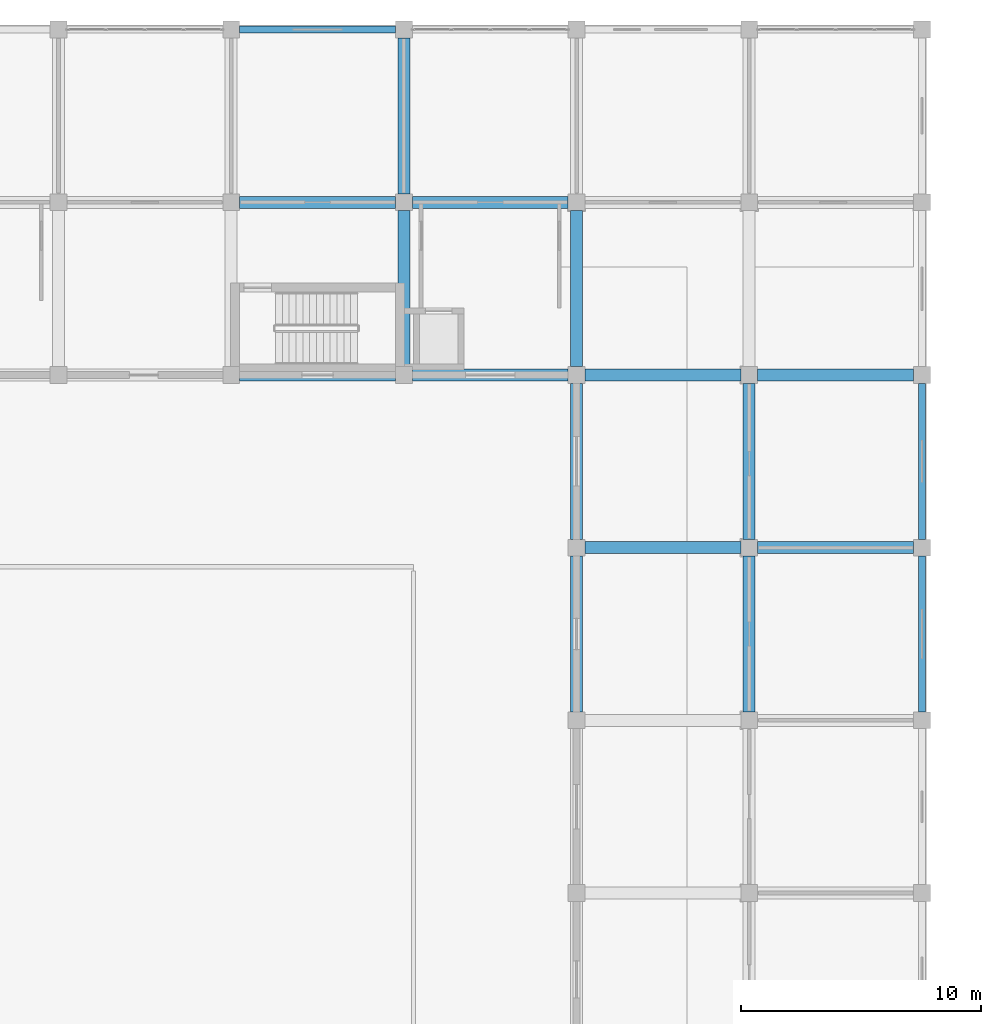
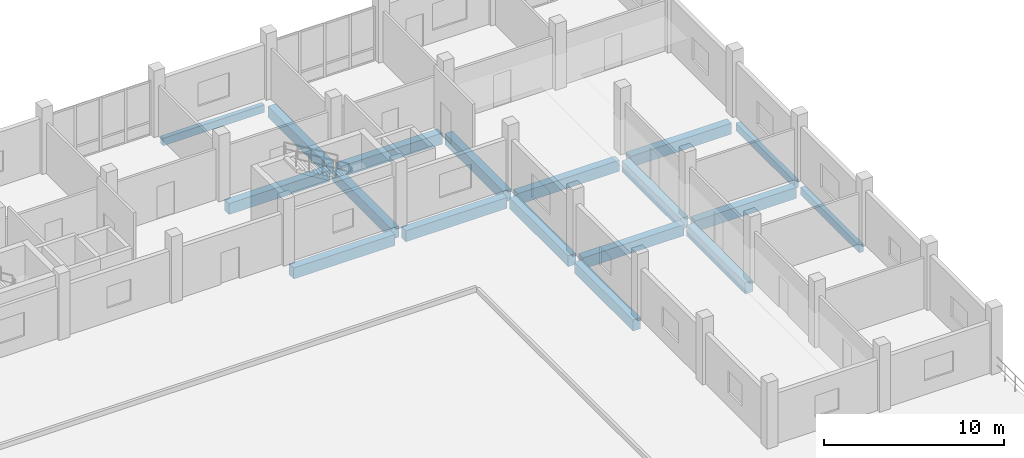
# One storey, part 97 of 139: 18 beams.
"""IFC4 building model written with IfcOpenShell, lengths in metres."""

from ifc_helpers import new_model, si_unit, direction, frame, origin, origin_2d, place, context, subcontext, project, spatial, rectangle, extrude, material, material_profile, profile_set, type_object, element, save


model = new_model("IFC4")

# Units and contexts
model_context = context("Model", 3, precision=1e-05, world=origin(), true_north=direction((0.0, 1.0)))
body_context = subcontext(model_context, "Body", "Model", "MODEL_VIEW")
ifc_project = project(units=[si_unit("LENGTHUNIT", "METRE"), si_unit("AREAUNIT", "SQUARE_METRE"), si_unit("VOLUMEUNIT", "CUBIC_METRE"), si_unit("PLANEANGLEUNIT", "RADIAN"), si_unit("MASSUNIT", "GRAM", prefix="KILO")], contexts=[model_context])

# Site, building, storey
site_placement = place(None, origin())
site = spatial("IfcSite", under=ifc_project, at=site_placement, CompositionType="ELEMENT")
building_placement = place(site_placement, origin())
building = spatial("IfcBuilding", under=site, at=building_placement, Name="Suanplinth Sawtooth Commons", CompositionType="ELEMENT")
storey_placement = place(building_placement, origin())
storey = spatial("IfcBuildingStorey", under=building, at=storey_placement, Name="L00", CompositionType="ELEMENT", Elevation=0.0)

# Beams
ifc_material_1 = material(Name="Concrete C40/50", Category="concrete")
ifc_material_profile_1 = material_profile(ifc_material_1, rectangle(XDim=0.5, YDim=0.75, at=origin_2d()), Name="RC-GDR 500x750")
ifc_profile_set_1 = profile_set([ifc_material_profile_1], Name="Concrete C40/50")
beam_type_1 = type_object("IfcBeamType", Name="B-03", PredefinedType="USERDEFINED", material=ifc_profile_set_1)
for number, where, z_axis, x_axis, name in (
    (1, (158.75, 108.0, -0.794921875), (1.0, 0.0, 0.0), (0.0, 1.0, 0.0), "BMX-L00-B-22-15"),
    (2, (158.75, 115.199951171875, -0.794921875), (1.0, 0.0, 0.0), (0.0, 1.0, 0.0), "BMX-L00-B-22-16"),
    (3, (165.949951171875, 108.0, -0.794921875), (1.0, 0.0, 0.0), (0.0, 1.0, 0.0), "BMX-L00-B-23-15"),
    (4, (165.949951171875, 115.199951171875, -0.794921875), (1.0, 0.0, 0.0), (0.0, 1.0, 0.0), "BMX-L00-B-23-16"),
    (5, (173.14990234375, 100.800048828125, -0.794921875), (1.0, 0.0, 0.0), (0.0, 1.0, 0.0), "BMX-L00-B-24-14"),
    (6, (173.14990234375, 108.0, -0.794921875), (1.0, 0.0, 0.0), (0.0, 1.0, 0.0), "BMX-L00-B-24-15"),
    (7, (180.35009765625, 100.800048828125, -0.794921875), (1.0, 0.0, 0.0), (0.0, 1.0, 0.0), "BMX-L00-B-25-14"),
    (8, (180.35009765625, 108.0, -0.794921875), (1.0, 0.0, 0.0), (0.0, 1.0, 0.0), "BMX-L00-B-25-15"),
    (9, (165.60009765625, 108.35009765625, -0.794921875), (0.0, 1.0, 0.0), (-1.0, 0.0, 0.0), "BMY-L00-B-23-15"),
    (10, (165.60009765625, 115.550048828125, -0.794921875), (0.0, 1.0, 0.0), (-1.0, 0.0, 0.0), "BMY-L00-B-23-16"),
    (11, (172.800048828125, 93.949951171875, -0.794921875), (0.0, 1.0, 0.0), (-1.0, 0.0, 0.0), "BMY-L00-B-24-13"),
    (12, (172.800048828125, 101.14990234375, -0.794921875), (0.0, 1.0, 0.0), (-1.0, 0.0, 0.0), "BMY-L00-B-24-14"),
    (13, (172.800048828125, 108.35009765625, -0.794921875), (0.0, 1.0, 0.0), (-1.0, 0.0, 0.0), "BMY-L00-B-24-15"),
    (14, (180.0, 93.949951171875, -0.794921875), (0.0, 1.0, 0.0), (-1.0, 0.0, 0.0), "BMY-L00-B-25-13"),
    (15, (180.0, 101.14990234375, -0.794921875), (0.0, 1.0, 0.0), (-1.0, 0.0, 0.0), "BMY-L00-B-25-14"),
):
    element("IfcBeam", number, at=place(storey_placement, frame(where, z_axis=z_axis, x_axis=x_axis)), inside=storey, type_object=beam_type_1, Name=name, ObjectType="GIRDER", PredefinedType="USERDEFINED", context=body_context, shape_type="SweptSolid", body=[
        extrude(rectangle(XDim=0.5, YDim=0.75, at=origin_2d()), origin(), (0.0, 0.0, 1.0), 6.5),
    ])
ifc_material_2 = material(Name="Precast concrete C40/50", Category="concrete")
ifc_material_profile_2 = material_profile(ifc_material_2, rectangle(XDim=0.280029296875, YDim=0.52001953125, at=origin_2d()), Name="PC-SP 280x520")
ifc_profile_set_2 = profile_set([ifc_material_profile_2], Name="Precast concrete C40/50")
beam_type_2 = type_object("IfcBeamType", Name="B-08", PredefinedType="SPANDREL", material=ifc_profile_set_2)
for number, where, z_axis, x_axis, name in (
    (16, (158.75, 122.39990234375, -0.679931640625), (1.0, 0.0, 0.0), (0.0, 1.0, 0.0), "BMX-L00-B-22-17"),
    (17, (187.199951171875, 93.949951171875, -0.679931640625), (0.0, 1.0, 0.0), (-1.0, 0.0, 0.0), "BMY-L00-B-26-13"),
    (18, (187.199951171875, 101.14990234375, -0.679931640625), (0.0, 1.0, 0.0), (-1.0, 0.0, 0.0), "BMY-L00-B-26-14"),
):
    element("IfcBeam", number, at=place(storey_placement, frame(where, z_axis=z_axis, x_axis=x_axis)), inside=storey, type_object=beam_type_2, Name=name, PredefinedType="SPANDREL", context=body_context, shape_type="SweptSolid", body=[
        extrude(rectangle(XDim=0.280029296875, YDim=0.52001953125, at=origin_2d()), origin(), (0.0, 0.0, 1.0), 6.5),
    ])

save(model, "model.ifc")
